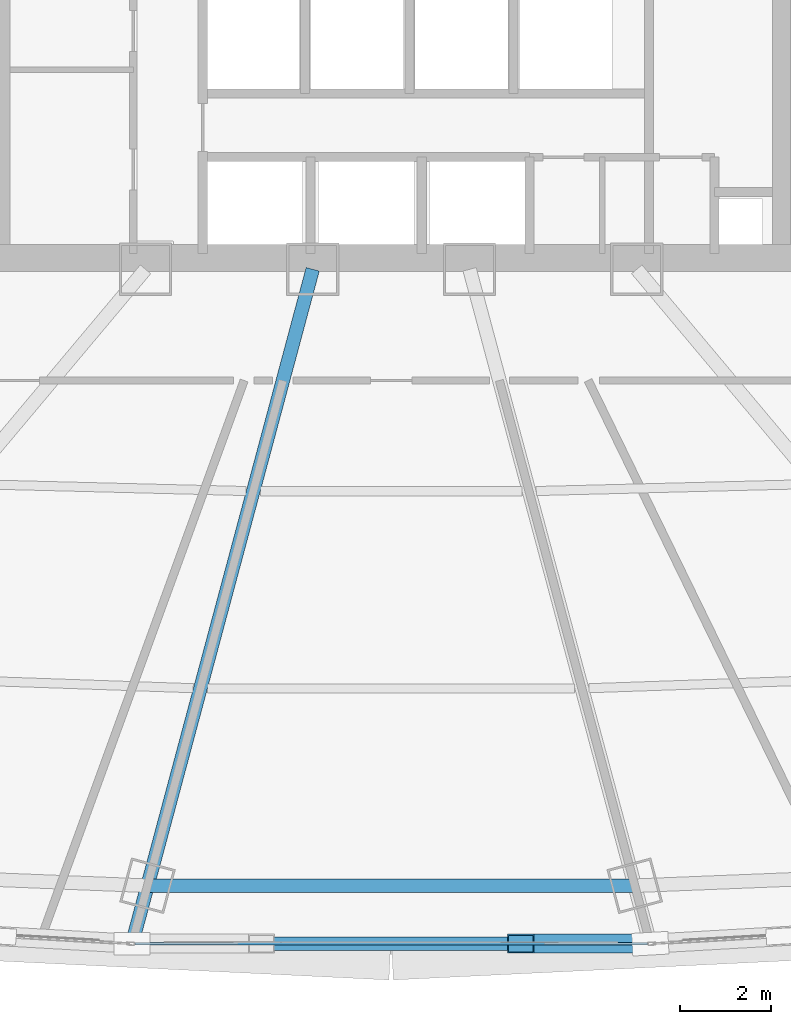
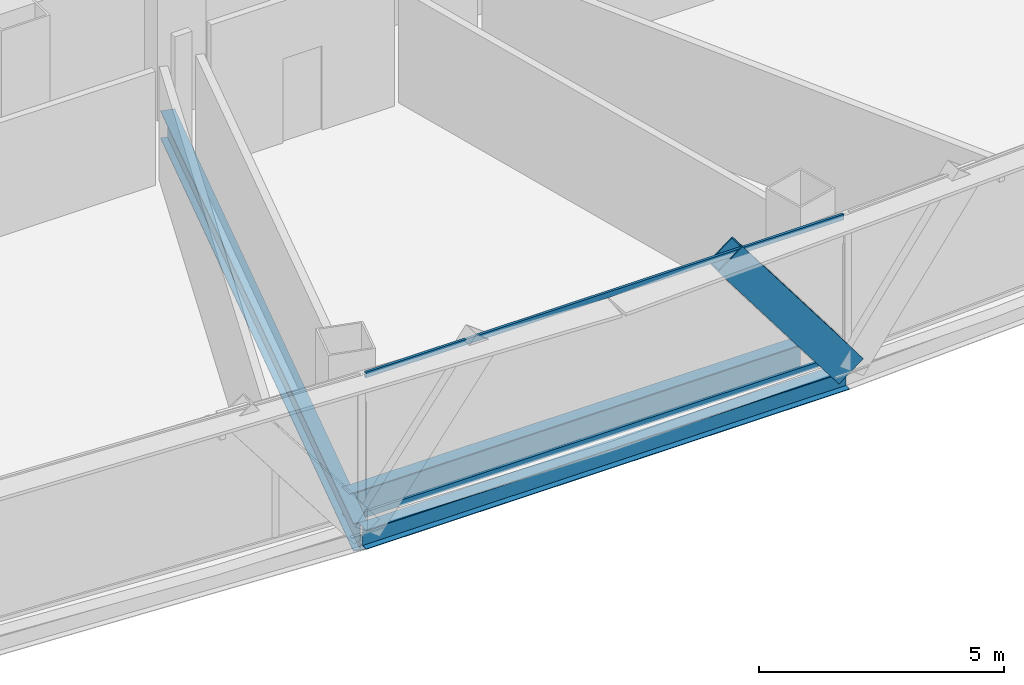
# One storey, part 11 of 41: 3 beams, 3 members, 1 element without a shape of its own.
"""IFC4 building model written with IfcOpenShell, lengths in metres."""

from ifc_helpers import new_model, si_unit, direction, frame, origin, origin_2d, place, context, subcontext, project, spatial, hollow_rectangle, i_section, extrude, source, transform, mapped, material, layer, layer_set, material_profile, profile_set, type_object, element, aggregate, save


model = new_model("IFC4")

# Units and contexts
model_context = context("Model", 3, precision=1e-05, world=origin(), true_north=direction((0.0, 1.0)))
body_context = subcontext(model_context, "Body", "Model", "MODEL_VIEW")
ifc_project = project(units=[si_unit("LENGTHUNIT", "METRE"), si_unit("AREAUNIT", "SQUARE_METRE"), si_unit("VOLUMEUNIT", "CUBIC_METRE"), si_unit("PLANEANGLEUNIT", "RADIAN"), si_unit("MASSUNIT", "GRAM", prefix="KILO"), si_unit("THERMODYNAMICTEMPERATUREUNIT", "KELVIN"), si_unit("POWERUNIT", "WATT")], contexts=[model_context])

# Site, building, storey
site_placement = place(None, origin())
site = spatial("IfcSite", under=ifc_project, at=site_placement, CompositionType="ELEMENT")
building_placement = place(site_placement, origin())
building = spatial("IfcBuilding", under=site, at=building_placement, Name="Yunzhuo Pagoda Commons", CompositionType="ELEMENT")
storey_placement = place(building_placement, frame((0.0, 0.0, 111.580078125)))
storey = spatial("IfcBuildingStorey", under=building, at=storey_placement, Name="L28", CompositionType="ELEMENT", Elevation=111.580078125)

# Beams
ifc_material_1 = material(Name="Structural steel Q355B", Category="steel")
ifc_material_profile_1 = material_profile(ifc_material_1, i_section(OverallWidth=0.300048828125, OverallDepth=0.699951171875, WebThickness=0.012939453125, FlangeThickness=0.02392578125, at=origin_2d()), Name="Structural steel Q355B")
ifc_profile_set_1 = profile_set([ifc_material_profile_1], Name="Structural steel Q355B")
beam_type_1 = type_object("IfcBeamType", Name="B-RG1 Beam HN 700x300x13x24", PredefinedType="BEAM", material=ifc_profile_set_1)
shared_shape_1 = source(origin(), body_context, "Body", "SweptSolid", [
    extrude(i_section(OverallWidth=0.300048828125, OverallDepth=0.699951171875, WebThickness=0.012939453125, FlangeThickness=0.02392578125, at=origin_2d()), origin(), (0.0, 0.0, 1.0), 10.73486328125),
])
beam_1_placement = place(storey_placement, frame((42.632568359375, 13.66845703125, -0.610107421875), z_axis=(1.0, 0.0, 0.0), x_axis=(0.0, 1.0, 0.0)))
element("IfcBeam", 1, at=beam_1_placement, inside=storey, type_object=beam_type_1, Name="L28 column-ring beam 2", PredefinedType="BEAM", context=body_context, shape_type="MappedRepresentation", body=[
    mapped(shared_shape_1, transform((0.0, 0.0, 0.0), scale=1.0)),
])
shared_shape_2 = source(origin(), body_context, "Body", "SweptSolid", [
    extrude(i_section(OverallWidth=0.300048828125, OverallDepth=0.699951171875, WebThickness=0.012939453125, FlangeThickness=0.02392578125, at=origin_2d()), origin(), (0.0, 0.0, 1.0), 15.22802734375),
])
beam_2_placement = place(storey_placement, frame((42.330322265625, 12.541015625, -0.610107421875), z_axis=(0.258842934439, 0.965919424844, 0.0), x_axis=(-0.965919424844, 0.258842934439, 0.0)))
element("IfcBeam", 2, at=beam_2_placement, inside=storey, type_object=beam_type_1, Name="L28 radial floor girder F1C2", PredefinedType="BEAM", context=body_context, shape_type="MappedRepresentation", body=[
    mapped(shared_shape_2, transform((0.0, 0.0, 0.0), scale=1.0)),
])
ifc_material_profile_2 = material_profile(ifc_material_1, i_section(OverallWidth=0.300048828125, OverallDepth=0.488037109375, WebThickness=0.010986328125, FlangeThickness=0.01806640625, at=origin_2d()), Name="Structural steel Q355B")
ifc_profile_set_2 = profile_set([ifc_material_profile_2], Name="Structural steel Q355B")
beam_type_2 = type_object("IfcBeamType", Name="B-SP1 Beam HM 488x300x11x18", PredefinedType="BEAM", material=ifc_profile_set_2)
shared_shape_3 = source(origin(), body_context, "Body", "SweptSolid", [
    extrude(i_section(OverallWidth=0.300048828125, OverallDepth=0.488037109375, WebThickness=0.010986328125, FlangeThickness=0.01806640625, at=origin_2d()), origin(), (0.0, 0.0, 1.0), 11.41943359375),
])
beam_3_placement = place(storey_placement, frame((42.290283203125, 12.39111328125, -0.504150390625), z_axis=(1.0, 0.0, 0.0), x_axis=(0.0, 1.0, 0.0)))
element("IfcBeam", 3, at=beam_3_placement, inside=storey, type_object=beam_type_2, Name="L28 facade edge spandrel beam F1.2", PredefinedType="BEAM", context=body_context, shape_type="MappedRepresentation", body=[
    mapped(shared_shape_3, transform((0.0, 0.0, 0.0), scale=1.0)),
])

# Member
ifc_material_2 = material(Name="Structural steel Q420B", Category="steel")
ifc_material_profile_3 = material_profile(ifc_material_2, hollow_rectangle(XDim=0.419921875, YDim=0.719970703125, WallThickness=0.028076171875, at=origin_2d()), Name="Structural steel Q420B")
ifc_profile_set_3 = profile_set([ifc_material_profile_3], Name="Structural steel Q420B")
member_type_1 = type_object("IfcMemberType", Name="M-DL1 Brace BOX 720x420x28", PredefinedType="BRACE", material=ifc_profile_set_3)
shared_shape_4 = source(origin(), body_context, "Body", "SweptSolid", [
    extrude(hollow_rectangle(XDim=0.419921875, YDim=0.719970703125, WallThickness=0.028076171875, at=origin_2d()), origin(), (0.0, 0.0, 1.0), 4.7529296875),
])
member_1_placement = place(storey_placement, frame((53.709716796875, 12.39111328125, -0.260009765625), z_axis=(-0.600665486194, 0.0, 0.799500452592), x_axis=(0.0, -1.0, 0.0)))
element("IfcMember", 4, at=member_1_placement, inside=storey, type_object=member_type_1, Name="L28 facade diamond brace F1.2R", PredefinedType="BRACE", context=body_context, shape_type="MappedRepresentation", body=[
    mapped(shared_shape_4, transform((0.0, 0.0, 0.0), scale=1.0)),
])

# Curtain wall, members
ifc_material_3 = material(Name="Anodized aluminium 6063-T6", Category="aluminium")
ifc_layer = layer(ifc_material_3, 0.1650390625)
ifc_layer_set = layer_set([ifc_layer], Name="Anodized aluminium 6063-T6")
curtain_wall_type = type_object("IfcCurtainWallType", Name="CW-LOW Low-Zone Ribbon Curtain Wall", PredefinedType="NOTDEFINED", material=ifc_layer_set)
curtain_wall_placement = place(storey_placement, origin())
curtain_wall = element("IfcCurtainWall", 5, at=curtain_wall_placement, inside=storey, type_object=curtain_wall_type, Name="L28 curtain wall CW-L28-F1B3", PredefinedType="NOTDEFINED")
ifc_material_profile_4 = material_profile(ifc_material_3, hollow_rectangle(XDim=0.06005859375, YDim=0.139892578125, WallThickness=0.00341796875, at=origin_2d()), Name="Anodized aluminium 6063-T6")
ifc_profile_set_4 = profile_set([ifc_material_profile_4], Name="Anodized aluminium 6063-T6")
member_type_2 = type_object("IfcMemberType", Name="CW-LOW-T Transom RHS 140x60x3.5", PredefinedType="USERDEFINED", material=ifc_profile_set_4)
shared_shape_5 = source(origin(), body_context, "Body", "SweptSolid", [
    extrude(hollow_rectangle(XDim=0.06005859375, YDim=0.139892578125, WallThickness=0.00341796875, at=origin_2d()), origin(), (0.0, 0.0, 1.0), 11.28955078125),
])
member_2_placement = place(storey_placement, frame((42.355224609375, 12.39111328125, 0.030029296875), z_axis=(1.0, 0.0, 0.0), x_axis=(0.0, 1.0, 0.0)))
member_2 = element("IfcMember", 6, at=member_2_placement, type_object=member_type_2, Name="CW transom 1.1", ObjectType="TRANSOM", PredefinedType="USERDEFINED", context=body_context, shape_type="MappedRepresentation", body=[
    mapped(shared_shape_5, transform((0.0, 0.0, 0.0), scale=1.0)),
])
member_3_placement = place(storey_placement, frame((42.355224609375, 12.39111328125, 3.510009765625), z_axis=(1.0, 0.0, 0.0), x_axis=(0.0, 1.0, 0.0)))
member_3 = element("IfcMember", 7, at=member_3_placement, type_object=member_type_2, Name="CW transom 1.2", ObjectType="TRANSOM", PredefinedType="USERDEFINED", context=body_context, shape_type="MappedRepresentation", body=[
    mapped(shared_shape_5, transform((0.0, 0.0, 0.0), scale=1.0)),
])
aggregate(curtain_wall, [member_2, member_3])

save(model, "model.ifc")
